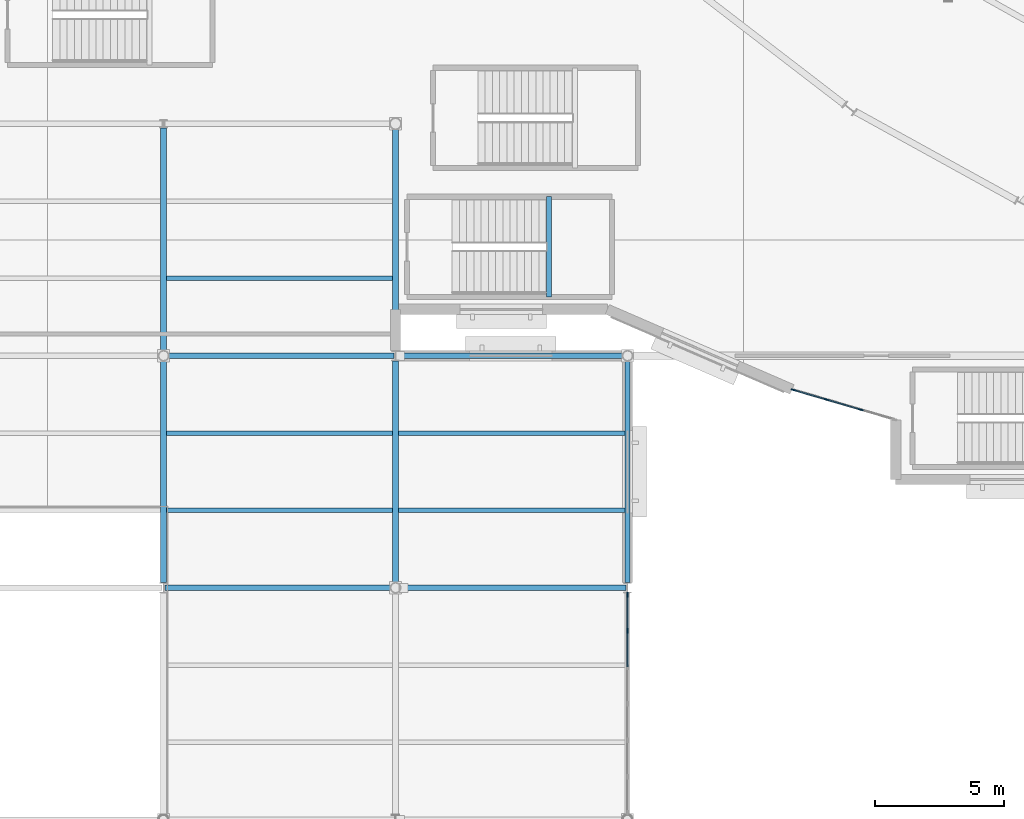
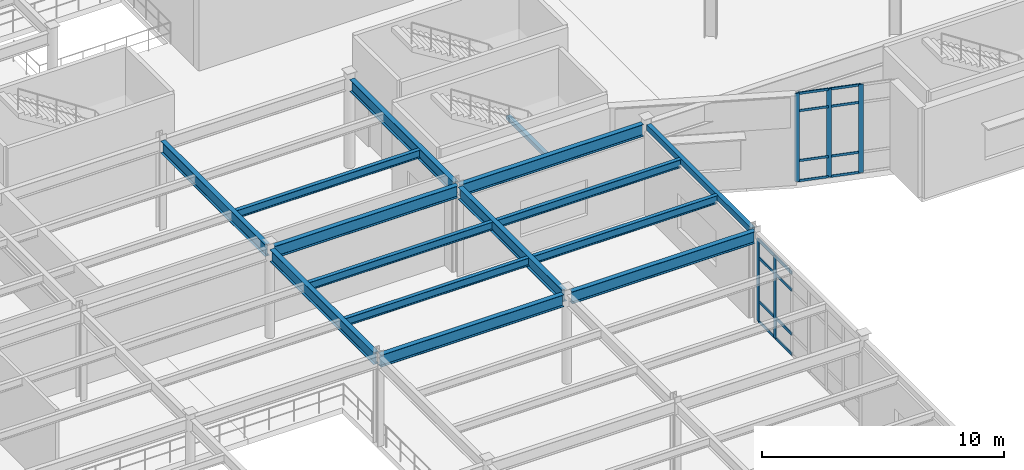
# One storey, part 29 of 86: 21 members, 15 beams, 2 elements without a shape of their own.
"""IFC4 building model written with IfcOpenShell, lengths in metres."""

from ifc_helpers import new_model, si_unit, direction, frame, origin, origin_2d, place, context, subcontext, project, spatial, rectangle, hollow_rectangle, i_section, extrude, material, material_profile, profile_set, type_object, element, aggregate, save


model = new_model("IFC4")

# Units and contexts
model_context = context("Model", 3, precision=1e-05, world=origin(), true_north=direction((0.0, 1.0)))
body_context = subcontext(model_context, "Body", "Model", "MODEL_VIEW")
ifc_project = project(units=[si_unit("LENGTHUNIT", "METRE"), si_unit("AREAUNIT", "SQUARE_METRE"), si_unit("VOLUMEUNIT", "CUBIC_METRE"), si_unit("PLANEANGLEUNIT", "RADIAN"), si_unit("MASSUNIT", "GRAM", prefix="KILO")], contexts=[model_context])

# Site, building, storey
site_placement = place(None, origin())
site = spatial("IfcSite", under=ifc_project, at=site_placement, CompositionType="ELEMENT")
building_placement = place(site_placement, origin())
building = spatial("IfcBuilding", under=site, at=building_placement, Name="Glasvene Arena", CompositionType="ELEMENT")
storey_placement = place(building_placement, frame((0.0, 0.0, 5.39990234375)))
storey = spatial("IfcBuildingStorey", under=building, at=storey_placement, Name="L01", CompositionType="ELEMENT", Elevation=5.39990234375)

# Beams
ifc_material_1 = material(Name="Steel S355J2", Category="steel")
ifc_material_profile_1 = material_profile(ifc_material_1, i_section(OverallWidth=0.228271484375, OverallDepth=0.607666015625, WebThickness=0.010986328125, FlangeThickness=0.017333984375, FilletRadius=0.0126953125, at=origin_2d()), Name="UKB 610x229x113")
ifc_profile_set_1 = profile_set([ifc_material_profile_1], Name="Steel S355J2")
beam_type_1 = type_object("IfcBeamType", Name="BM-GIRD-610", PredefinedType="BEAM", material=ifc_profile_set_1)
for number, where, z_axis, x_axis, name in (
    (1, (36.050048828125, 18.0, 4.21630859375), (1.0, 0.0, 0.0), (0.0, 1.0, 0.0), "Primary X girder L01-0538"),
    (2, (45.1982421875, 18.0, 4.21630859375), (1.0, 0.0, 0.0), (0.0, 1.0, 0.0), "Primary X girder L01-0539"),
    (3, (36.1982421875, 27.0, 4.21630859375), (1.0, 0.0, 0.0), (0.0, 1.0, 0.0), "Primary X girder L01-0544"),
    (4, (45.050048828125, 27.0, 4.21630859375), (1.0, 0.0, 0.0), (0.0, 1.0, 0.0), "Primary X girder L01-0545"),
):
    element("IfcBeam", number, at=place(storey_placement, frame(where, z_axis=z_axis, x_axis=x_axis)), inside=storey, type_object=beam_type_1, Name=name, PredefinedType="BEAM", context=body_context, shape_type="SweptSolid", body=[
        extrude(i_section(OverallWidth=0.228271484375, OverallDepth=0.607666015625, WebThickness=0.010986328125, FlangeThickness=0.017333984375, FilletRadius=0.0126953125, at=origin_2d()), origin(), (0.0, 0.0, 1.0), 8.751708984375),
    ])
beam_1_placement = place(storey_placement, frame((36.0, 18.195068359375, 4.21630859375), z_axis=(0.0, 1.0, 0.0), x_axis=(-1.0, 0.0, 0.0)))
element("IfcBeam", 5, at=beam_1_placement, inside=storey, type_object=beam_type_1, Name="Primary Y girder L01-0637", PredefinedType="BEAM", context=body_context, shape_type="SweptSolid", body=[
    extrude(i_section(OverallWidth=0.228271484375, OverallDepth=0.607666015625, WebThickness=0.010986328125, FlangeThickness=0.017333984375, FilletRadius=0.0126953125, at=origin_2d()), origin(), (0.0, 0.0, 1.0), 8.606689453125),
])
beam_2_placement = place(storey_placement, frame((36.0, 27.1982421875, 4.21630859375), z_axis=(0.0, 1.0, 0.0), x_axis=(-1.0, 0.0, 0.0)))
element("IfcBeam", 6, at=beam_2_placement, inside=storey, type_object=beam_type_1, Name="Primary Y girder L01-0638", PredefinedType="BEAM", context=body_context, shape_type="SweptSolid", body=[
    extrude(i_section(OverallWidth=0.228271484375, OverallDepth=0.607666015625, WebThickness=0.010986328125, FlangeThickness=0.017333984375, FilletRadius=0.0126953125, at=origin_2d()), origin(), (0.0, 0.0, 1.0), 8.646484375),
])
beam_3_placement = place(storey_placement, frame((45.0, 18.1982421875, 4.21630859375), z_axis=(0.0, 1.0, 0.0), x_axis=(-1.0, 0.0, 0.0)))
element("IfcBeam", 7, at=beam_3_placement, inside=storey, type_object=beam_type_1, Name="Primary Y girder L01-0643", PredefinedType="BEAM", context=body_context, shape_type="SweptSolid", body=[
    extrude(i_section(OverallWidth=0.228271484375, OverallDepth=0.607666015625, WebThickness=0.010986328125, FlangeThickness=0.017333984375, FilletRadius=0.0126953125, at=origin_2d()), origin(), (0.0, 0.0, 1.0), 8.606689453125),
])
beam_4_placement = place(storey_placement, frame((45.0, 27.195068359375, 4.21630859375), z_axis=(0.0, 1.0, 0.0), x_axis=(-1.0, 0.0, 0.0)))
element("IfcBeam", 8, at=beam_4_placement, inside=storey, type_object=beam_type_1, Name="Primary Y girder L01-0644", PredefinedType="BEAM", context=body_context, shape_type="SweptSolid", body=[
    extrude(i_section(OverallWidth=0.228271484375, OverallDepth=0.607666015625, WebThickness=0.010986328125, FlangeThickness=0.017333984375, FilletRadius=0.0126953125, at=origin_2d()), origin(), (0.0, 0.0, 1.0), 8.58154296875),
])
ifc_material_profile_2 = material_profile(ifc_material_1, i_section(OverallWidth=0.177978515625, OverallDepth=0.406494140625, WebThickness=0.0078125, FlangeThickness=0.0126953125, FilletRadius=0.01025390625, at=origin_2d()), Name="UKB 406x178x60")
ifc_profile_set_2 = profile_set([ifc_material_profile_2], Name="Steel S355J2")
beam_type_2 = type_object("IfcBeamType", Name="BM-JOIST-406", PredefinedType="JOIST", material=ifc_profile_set_2)
for number, where, z_axis, x_axis, name in (
    (9, (36.110107421875, 21.0, 4.31689453125), (1.0, 0.0, 0.0), (0.0, 1.0, 0.0), "Composite floor joist L01-0727"),
    (10, (36.110107421875, 24.0, 4.31689453125), (1.0, 0.0, 0.0), (0.0, 1.0, 0.0), "Composite floor joist L01-0728"),
    (11, (36.110107421875, 30.0, 4.31689453125), (1.0, 0.0, 0.0), (0.0, 1.0, 0.0), "Composite floor joist L01-0729"),
):
    element("IfcBeam", number, at=place(storey_placement, frame(where, z_axis=z_axis, x_axis=x_axis)), inside=storey, type_object=beam_type_2, Name=name, PredefinedType="JOIST", context=body_context, shape_type="SweptSolid", body=[
        extrude(i_section(OverallWidth=0.177978515625, OverallDepth=0.406494140625, WebThickness=0.0078125, FlangeThickness=0.0126953125, FilletRadius=0.01025390625, at=origin_2d()), origin(), (0.0, 0.0, 1.0), 8.77978515625),
    ])
for number, where, z_axis, x_axis, name in (
    (12, (45.110107421875, 21.0, 4.31689453125), (1.0, 0.0, 0.0), (0.0, 1.0, 0.0), "Composite floor joist L01-0737"),
    (13, (45.110107421875, 24.0, 4.31689453125), (1.0, 0.0, 0.0), (0.0, 1.0, 0.0), "Composite floor joist L01-0738"),
):
    element("IfcBeam", number, at=place(storey_placement, frame(where, z_axis=z_axis, x_axis=x_axis)), inside=storey, type_object=beam_type_2, Name=name, PredefinedType="JOIST", context=body_context, shape_type="SweptSolid", body=[
        extrude(i_section(OverallWidth=0.177978515625, OverallDepth=0.406494140625, WebThickness=0.0078125, FlangeThickness=0.0126953125, FilletRadius=0.01025390625, at=origin_2d()), origin(), (0.0, 0.0, 1.0), 8.7939453125),
    ])
ifc_material_profile_3 = material_profile(ifc_material_1, hollow_rectangle(XDim=0.199951171875, YDim=0.199951171875, WallThickness=0.010009765625, at=origin_2d()), Name="SHS 200x200x10.0")
ifc_profile_set_3 = profile_set([ifc_material_profile_3], Name="Steel S355J2")
beam_type_3 = type_object("IfcBeamType", Name="BM-LINTEL-200", PredefinedType="LINTEL", material=ifc_profile_set_3)
beam_5_placement = place(storey_placement, frame((50.9599609375, 29.280029296875, 2.080078125), z_axis=(0.0, 1.0, 0.0), x_axis=(-1.0, 0.0, 0.0)))
element("IfcBeam", 14, at=beam_5_placement, inside=storey, type_object=beam_type_3, Name="Stair half-landing support beam ST-16-L01", PredefinedType="LINTEL", context=body_context, shape_type="SweptSolid", body=[
    extrude(hollow_rectangle(XDim=0.199951171875, YDim=0.199951171875, WallThickness=0.010009765625, at=origin_2d()), origin(), (0.0, 0.0, 1.0), 3.889892578125),
])
ifc_material_profile_4 = material_profile(ifc_material_1, hollow_rectangle(XDim=0.199951171875, YDim=0.300048828125, WallThickness=0.012451171875, at=origin_2d()), Name="RHS 300x200x12.5")
ifc_profile_set_4 = profile_set([ifc_material_profile_4], Name="Steel S355J2")
beam_type_4 = type_object("IfcBeamType", Name="BM-SPAND-300", PredefinedType="SPANDREL", material=ifc_profile_set_4)
beam_6_placement = place(storey_placement, frame((54.0, 18.195068359375, 4.3701171875), z_axis=(0.0, 1.0, 0.0), x_axis=(-1.0, 0.0, 0.0)))
element("IfcBeam", 15, at=beam_6_placement, inside=storey, type_object=beam_type_4, Name="Primary Y girder L01-0648", PredefinedType="SPANDREL", context=body_context, shape_type="SweptSolid", body=[
    extrude(hollow_rectangle(XDim=0.199951171875, YDim=0.300048828125, WallThickness=0.012451171875, at=origin_2d()), origin(), (0.0, 0.0, 1.0), 8.606689453125),
])

# Curtain wall, members
ifc_material_2 = material(Name="Low-emissivity laminated double glazing", Category="glass")
curtain_wall_type_1 = type_object("IfcCurtainWallType", Name="CW-FAC-L01-411x446", PredefinedType="USERDEFINED", material=ifc_material_2)
curtain_wall_1_placement = place(storey_placement, frame((64.361572265625, 24.525390625, 0.0)))
curtain_wall_1 = element("IfcCurtainWall", 16, at=curtain_wall_1_placement, inside=storey, type_object=curtain_wall_type_1, Name="Unitised curtain wall CW-F-L01-180-624-251-49", ObjectType="CURTAIN WALL", PredefinedType="USERDEFINED")
ifc_material_3 = material(Name="Anodised architectural aluminium", Category="aluminium")
ifc_material_profile_5 = material_profile(ifc_material_3, rectangle(XDim=0.050048828125, YDim=0.199951171875, at=origin_2d()), Name="ALU MULLION 50x200")
ifc_profile_set_5 = profile_set([ifc_material_profile_5], Name="Anodised architectural aluminium")
member_type_1 = type_object("IfcMemberType", Name="CW-MUL-180", PredefinedType="MULLION", material=ifc_profile_set_5)
member_1_placement = place(storey_placement, frame((63.04736328125, 24.91064453125, 0.06005859375), z_axis=(0.0, 0.0, 1.0), x_axis=(-0.28128589414, -0.959624012704, 0.0)))
member_1 = element("IfcMember", 17, at=member_1_placement, type_object=member_type_1, Name="CW-015 mullion 2", PredefinedType="MULLION", context=body_context, shape_type="SweptSolid", body=[
    extrude(rectangle(XDim=0.050048828125, YDim=0.199951171875, at=origin_2d()), origin(), (0.0, 0.0, 1.0), 4.4599609375),
])
member_2_placement = place(storey_placement, frame((61.7333984375, 25.2958984375, 0.06005859375), z_axis=(0.0, 0.0, 1.0), x_axis=(-0.28128589414, -0.959624012704, 0.0)))
member_2 = element("IfcMember", 18, at=member_2_placement, type_object=member_type_1, Name="CW-015 mullion 3", PredefinedType="MULLION", context=body_context, shape_type="SweptSolid", body=[
    extrude(rectangle(XDim=0.050048828125, YDim=0.199951171875, at=origin_2d()), origin(), (0.0, 0.0, 1.0), 4.4599609375),
])
member_3_placement = place(storey_placement, frame((60.443115234375, 25.674072265625, 0.06005859375), z_axis=(0.0, 0.0, 1.0), x_axis=(-0.28128589414, -0.959624012704, 0.0)))
member_3 = element("IfcMember", 19, at=member_3_placement, type_object=member_type_1, Name="CW-015 mullion 4", PredefinedType="MULLION", context=body_context, shape_type="SweptSolid", body=[
    extrude(rectangle(XDim=0.050048828125, YDim=0.199951171875, at=origin_2d()), origin(), (0.0, 0.0, 1.0), 4.4599609375),
])

curtain_wall_type_2 = type_object("IfcCurtainWallType", Name="CW-FAC-L01-851x416", PredefinedType="USERDEFINED", material=ifc_material_2)
curtain_wall_2_placement = place(storey_placement, frame((54.0, 17.758056640625, 0.0)))
curtain_wall_2 = element("IfcCurtainWall", 20, at=curtain_wall_2_placement, inside=storey, type_object=curtain_wall_type_2, Name="Unitised curtain wall CW-F-L01-180-540-135-55", ObjectType="CURTAIN WALL", PredefinedType="USERDEFINED")
member_4_placement = place(storey_placement, frame((54.0, 17.73291015625, 0.06005859375), z_axis=(0.0, 0.0, 1.0), x_axis=(1.0, 0.0, 0.0)))
member_4 = element("IfcMember", 21, at=member_4_placement, type_object=member_type_1, Name="CW-016 mullion 1", PredefinedType="MULLION", context=body_context, shape_type="SweptSolid", body=[
    extrude(rectangle(XDim=0.050048828125, YDim=0.199951171875, at=origin_2d()), origin(), (0.0, 0.0, 1.0), 4.155029296875),
])
member_5_placement = place(storey_placement, frame((54.0, 16.339111328125, 0.06005859375), z_axis=(0.0, 0.0, 1.0), x_axis=(1.0, 0.0, 0.0)))
member_5 = element("IfcMember", 22, at=member_5_placement, type_object=member_type_1, Name="CW-016 mullion 2", PredefinedType="MULLION", context=body_context, shape_type="SweptSolid", body=[
    extrude(rectangle(XDim=0.050048828125, YDim=0.199951171875, at=origin_2d()), origin(), (0.0, 0.0, 1.0), 4.155029296875),
])

# Member
ifc_material_profile_6 = material_profile(ifc_material_3, rectangle(XDim=0.050048828125, YDim=0.1201171875, at=origin_2d()), Name="ALU TRANSOM 50x120")
ifc_profile_set_6 = profile_set([ifc_material_profile_6], Name="Anodised architectural aluminium")
member_type_2 = type_object("IfcMemberType", Name="CW-TRN-120", PredefinedType="USERDEFINED", material=ifc_profile_set_6)
member_6_placement = place(storey_placement, frame((63.0234375, 24.917724609375, 0.085205078125), z_axis=(-0.959630266135, 0.281264559299, 0.0), x_axis=(-0.281264559299, -0.959630266135, 0.0)))
member_6 = element("IfcMember", 23, at=member_6_placement, type_object=member_type_2, Name="CW-015 transom 2.1", ObjectType="TRANSOM", PredefinedType="USERDEFINED", context=body_context, shape_type="SweptSolid", body=[
    extrude(rectangle(XDim=0.050048828125, YDim=0.1201171875, at=origin_2d()), origin(), (0.0, 0.0, 1.0), 1.3193359375),
])

member_7_placement = place(storey_placement, frame((63.0234375, 24.917724609375, 1.10009765625), z_axis=(-0.959630266135, 0.281264559299, 0.0), x_axis=(-0.281264559299, -0.959630266135, 0.0)))
member_7 = element("IfcMember", 24, at=member_7_placement, type_object=member_type_2, Name="CW-015 transom 2.2", ObjectType="TRANSOM", PredefinedType="USERDEFINED", context=body_context, shape_type="SweptSolid", body=[
    extrude(rectangle(XDim=0.050048828125, YDim=0.1201171875, at=origin_2d()), origin(), (0.0, 0.0, 1.0), 1.3193359375),
])

member_8_placement = place(storey_placement, frame((63.0234375, 24.917724609375, 3.6201171875), z_axis=(-0.959630266135, 0.281264559299, 0.0), x_axis=(-0.281264559299, -0.959630266135, 0.0)))
member_8 = element("IfcMember", 25, at=member_8_placement, type_object=member_type_2, Name="CW-015 transom 2.3", ObjectType="TRANSOM", PredefinedType="USERDEFINED", context=body_context, shape_type="SweptSolid", body=[
    extrude(rectangle(XDim=0.050048828125, YDim=0.1201171875, at=origin_2d()), origin(), (0.0, 0.0, 1.0), 1.3193359375),
])

member_9_placement = place(storey_placement, frame((63.0234375, 24.917724609375, 4.4951171875), z_axis=(-0.959630266135, 0.281264559299, 0.0), x_axis=(-0.281264559299, -0.959630266135, 0.0)))
member_9 = element("IfcMember", 26, at=member_9_placement, type_object=member_type_2, Name="CW-015 transom 2.4", ObjectType="TRANSOM", PredefinedType="USERDEFINED", context=body_context, shape_type="SweptSolid", body=[
    extrude(rectangle(XDim=0.050048828125, YDim=0.1201171875, at=origin_2d()), origin(), (0.0, 0.0, 1.0), 1.3193359375),
])

member_10_placement = place(storey_placement, frame((61.709228515625, 25.302734375, 0.085205078125), z_axis=(-0.959578491515, 0.281441145929, 0.0), x_axis=(-0.281441145929, -0.959578491515, 0.0)))
member_10 = element("IfcMember", 27, at=member_10_placement, type_object=member_type_2, Name="CW-015 transom 3.1", ObjectType="TRANSOM", PredefinedType="USERDEFINED", context=body_context, shape_type="SweptSolid", body=[
    extrude(rectangle(XDim=0.050048828125, YDim=0.1201171875, at=origin_2d()), origin(), (0.0, 0.0, 1.0), 1.294189453125),
])

member_11_placement = place(storey_placement, frame((61.709228515625, 25.302734375, 1.10009765625), z_axis=(-0.959578491515, 0.281441145929, 0.0), x_axis=(-0.281441145929, -0.959578491515, 0.0)))
member_11 = element("IfcMember", 28, at=member_11_placement, type_object=member_type_2, Name="CW-015 transom 3.2", ObjectType="TRANSOM", PredefinedType="USERDEFINED", context=body_context, shape_type="SweptSolid", body=[
    extrude(rectangle(XDim=0.050048828125, YDim=0.1201171875, at=origin_2d()), origin(), (0.0, 0.0, 1.0), 1.294189453125),
])

member_12_placement = place(storey_placement, frame((61.709228515625, 25.302734375, 3.6201171875), z_axis=(-0.959578491515, 0.281441145929, 0.0), x_axis=(-0.281441145929, -0.959578491515, 0.0)))
member_12 = element("IfcMember", 29, at=member_12_placement, type_object=member_type_2, Name="CW-015 transom 3.3", ObjectType="TRANSOM", PredefinedType="USERDEFINED", context=body_context, shape_type="SweptSolid", body=[
    extrude(rectangle(XDim=0.050048828125, YDim=0.1201171875, at=origin_2d()), origin(), (0.0, 0.0, 1.0), 1.294189453125),
])

member_13_placement = place(storey_placement, frame((61.709228515625, 25.302734375, 4.4951171875), z_axis=(-0.959578491515, 0.281441145929, 0.0), x_axis=(-0.281441145929, -0.959578491515, 0.0)))
member_13 = element("IfcMember", 30, at=member_13_placement, type_object=member_type_2, Name="CW-015 transom 3.4", ObjectType="TRANSOM", PredefinedType="USERDEFINED", context=body_context, shape_type="SweptSolid", body=[
    extrude(rectangle(XDim=0.050048828125, YDim=0.1201171875, at=origin_2d()), origin(), (0.0, 0.0, 1.0), 1.294189453125),
])

aggregate(curtain_wall_1, [member_1, member_2, member_3, member_6, member_7, member_8, member_9, member_10, member_11, member_12, member_13])

ifc_material_profile_7 = material_profile(ifc_material_3, rectangle(XDim=0.050048828125, YDim=0.14990234375, at=origin_2d()), Name="ALU TRANSOM 50x150")
ifc_profile_set_7 = profile_set([ifc_material_profile_7], Name="Anodised architectural aluminium")
member_type_3 = type_object("IfcMemberType", Name="CW-TRN-150", PredefinedType="USERDEFINED", material=ifc_profile_set_7)
member_14_placement = place(storey_placement, frame((54.0, 17.7080078125, 0.085205078125), z_axis=(0.0, -1.0, 0.0), x_axis=(1.0, 0.0, 0.0)))
member_14 = element("IfcMember", 31, at=member_14_placement, type_object=member_type_3, Name="CW-016 transom 1.1", ObjectType="TRANSOM", PredefinedType="USERDEFINED", context=body_context, shape_type="SweptSolid", body=[
    extrude(rectangle(XDim=0.050048828125, YDim=0.14990234375, at=origin_2d()), origin(), (0.0, 0.0, 1.0), 1.34375),
])

member_15_placement = place(storey_placement, frame((54.0, 17.7080078125, 1.10009765625), z_axis=(0.0, -1.0, 0.0), x_axis=(1.0, 0.0, 0.0)))
member_15 = element("IfcMember", 32, at=member_15_placement, type_object=member_type_3, Name="CW-016 transom 1.2", ObjectType="TRANSOM", PredefinedType="USERDEFINED", context=body_context, shape_type="SweptSolid", body=[
    extrude(rectangle(XDim=0.050048828125, YDim=0.14990234375, at=origin_2d()), origin(), (0.0, 0.0, 1.0), 1.34375),
])

member_16_placement = place(storey_placement, frame((54.0, 17.7080078125, 3.315185546875), z_axis=(0.0, -1.0, 0.0), x_axis=(1.0, 0.0, 0.0)))
member_16 = element("IfcMember", 33, at=member_16_placement, type_object=member_type_3, Name="CW-016 transom 1.3", ObjectType="TRANSOM", PredefinedType="USERDEFINED", context=body_context, shape_type="SweptSolid", body=[
    extrude(rectangle(XDim=0.050048828125, YDim=0.14990234375, at=origin_2d()), origin(), (0.0, 0.0, 1.0), 1.34375),
])

member_17_placement = place(storey_placement, frame((54.0, 17.7080078125, 4.190185546875), z_axis=(0.0, -1.0, 0.0), x_axis=(1.0, 0.0, 0.0)))
member_17 = element("IfcMember", 34, at=member_17_placement, type_object=member_type_3, Name="CW-016 transom 1.4", ObjectType="TRANSOM", PredefinedType="USERDEFINED", context=body_context, shape_type="SweptSolid", body=[
    extrude(rectangle(XDim=0.050048828125, YDim=0.14990234375, at=origin_2d()), origin(), (0.0, 0.0, 1.0), 1.34375),
])

member_18_placement = place(storey_placement, frame((54.0, 16.314208984375, 0.085205078125), z_axis=(0.0, -1.0, 0.0), x_axis=(1.0, 0.0, 0.0)))
member_18 = element("IfcMember", 35, at=member_18_placement, type_object=member_type_3, Name="CW-016 transom 2.1", ObjectType="TRANSOM", PredefinedType="USERDEFINED", context=body_context, shape_type="SweptSolid", body=[
    extrude(rectangle(XDim=0.050048828125, YDim=0.14990234375, at=origin_2d()), origin(), (0.0, 0.0, 1.0), 1.368896484375),
])

member_19_placement = place(storey_placement, frame((54.0, 16.314208984375, 1.10009765625), z_axis=(0.0, -1.0, 0.0), x_axis=(1.0, 0.0, 0.0)))
member_19 = element("IfcMember", 36, at=member_19_placement, type_object=member_type_3, Name="CW-016 transom 2.2", ObjectType="TRANSOM", PredefinedType="USERDEFINED", context=body_context, shape_type="SweptSolid", body=[
    extrude(rectangle(XDim=0.050048828125, YDim=0.14990234375, at=origin_2d()), origin(), (0.0, 0.0, 1.0), 1.368896484375),
])

member_20_placement = place(storey_placement, frame((54.0, 16.314208984375, 3.315185546875), z_axis=(0.0, -1.0, 0.0), x_axis=(1.0, 0.0, 0.0)))
member_20 = element("IfcMember", 37, at=member_20_placement, type_object=member_type_3, Name="CW-016 transom 2.3", ObjectType="TRANSOM", PredefinedType="USERDEFINED", context=body_context, shape_type="SweptSolid", body=[
    extrude(rectangle(XDim=0.050048828125, YDim=0.14990234375, at=origin_2d()), origin(), (0.0, 0.0, 1.0), 1.368896484375),
])

member_21_placement = place(storey_placement, frame((54.0, 16.314208984375, 4.190185546875), z_axis=(0.0, -1.0, 0.0), x_axis=(1.0, 0.0, 0.0)))
member_21 = element("IfcMember", 38, at=member_21_placement, type_object=member_type_3, Name="CW-016 transom 2.4", ObjectType="TRANSOM", PredefinedType="USERDEFINED", context=body_context, shape_type="SweptSolid", body=[
    extrude(rectangle(XDim=0.050048828125, YDim=0.14990234375, at=origin_2d()), origin(), (0.0, 0.0, 1.0), 1.368896484375),
])

aggregate(curtain_wall_2, [member_4, member_5, member_14, member_15, member_16, member_17, member_18, member_19, member_20, member_21])

save(model, "model.ifc")
